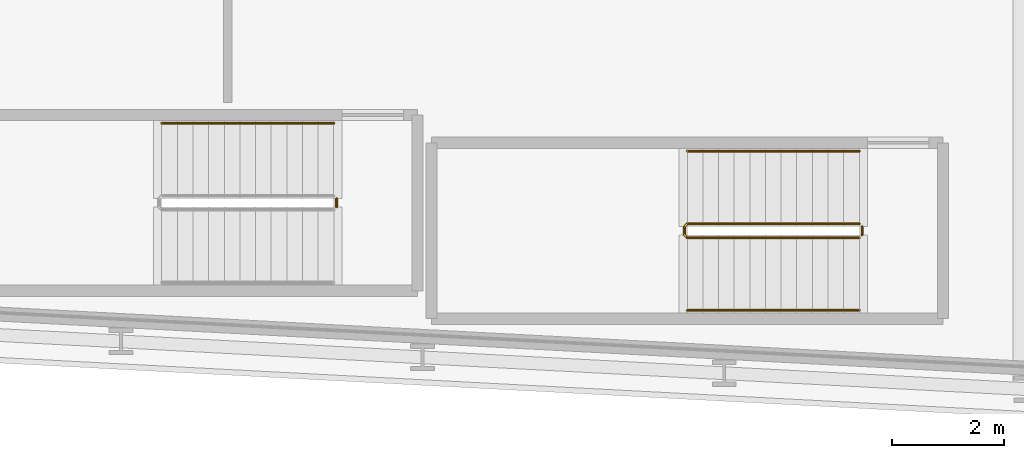
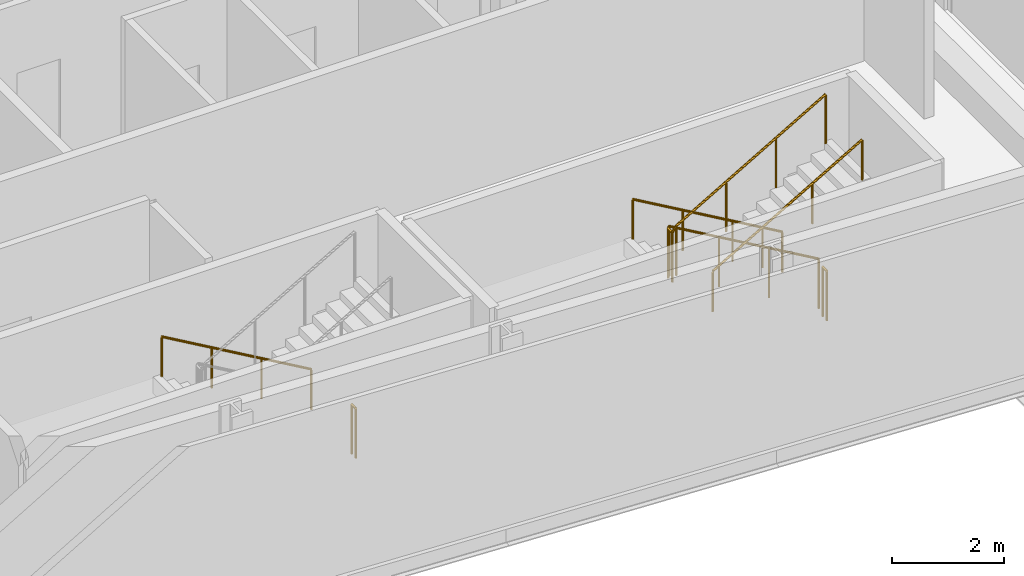
# One storey, part 24 of 27: 6 railings.
"""IFC4 building model written with IfcOpenShell, lengths in metres."""

from ifc_helpers import new_model, si_unit, direction, frame, origin, origin_2d, place, context, subcontext, project, spatial, circle, extrude, material, type_object, element, save


model = new_model("IFC4")

# Units and contexts
model_context = context("Model", 3, precision=1e-05, world=origin(), true_north=direction((0.0, 1.0)))
body_context = subcontext(model_context, "Body", "Model", "MODEL_VIEW")
ifc_project = project(units=[si_unit("LENGTHUNIT", "METRE"), si_unit("AREAUNIT", "SQUARE_METRE"), si_unit("VOLUMEUNIT", "CUBIC_METRE"), si_unit("PLANEANGLEUNIT", "RADIAN"), si_unit("MASSUNIT", "GRAM", prefix="KILO")], contexts=[model_context])

# Site, building, storey
site_placement = place(None, origin())
site = spatial("IfcSite", under=ifc_project, at=site_placement, CompositionType="ELEMENT")
building_placement = place(site_placement, origin())
building = spatial("IfcBuilding", under=site, at=building_placement, Name="Kheshtan School and Residences Tower", CompositionType="ELEMENT")
storey_placement = place(building_placement, frame((0.0, 0.0, 50.0)))
storey = spatial("IfcBuildingStorey", under=building, at=storey_placement, Name="L11", CompositionType="ELEMENT", Elevation=50.0)

# Railings
ifc_material_1 = material(Name="Stainless steel balustrade", Category="steel")
railing_type_1 = type_object("IfcRailingType", Name="Stair guard 1100", PredefinedType="GUARDRAIL", material=ifc_material_1)
railing_1_placement = place(storey_placement, frame((87.820068359375, 23.949951171875, 0.16259765625)))
element("IfcRailing", 1, at=railing_1_placement, inside=storey, type_object=railing_type_1, Name="L11 ST4 stair guard 1", PredefinedType="GUARDRAIL", context=body_context, shape_type="SweptSolid", body=[
    extrude(circle(Radius=0.02392578125, at=origin_2d()), frame((0.0, 0.0, 1.076171875), z_axis=(-0.864920483161, 0.0, 0.501908913857), x_axis=(0.0, -1.0, 0.0)), (0.0, 0.0, 1.0), 3.56103515625),
    extrude(circle(Radius=0.02392578125, at=origin_2d()), frame((-3.080078125, 0.0, 2.86328125), z_axis=(-0.707106781187, -0.707106781187, 0.0), x_axis=(0.707106781187, -0.707106781187, 0.0)), (0.0, 0.0, 1.0), 0.07080078125),
    extrude(circle(Radius=0.02392578125, at=origin_2d()), frame((-3.130126953125, -0.050048828125, 2.86328125), z_axis=(0.0, -1.0, 0.0), x_axis=(1.0, 0.0, 0.0)), (0.0, 0.0, 1.0), 0.14990234375),
    extrude(circle(Radius=0.02392578125, at=origin_2d()), frame((-3.130126953125, -0.199951171875, 2.86328125), z_axis=(0.282227285176, -0.282227285176, 0.916894497205), x_axis=(0.707106781187, 0.707106781187, 0.0)), (0.0, 0.0, 1.0), 0.17724609375),
    extrude(circle(Radius=0.02392578125, at=origin_2d()), frame((-3.080078125, -0.25, 3.02587890625), z_axis=(0.864920483161, 0.0, 0.501908913857), x_axis=(0.0, 1.0, 0.0)), (0.0, 0.0, 1.0), 3.56103515625),
    extrude(circle(Radius=0.02099609375, at=origin_2d()), origin(), (0.0, 0.0, 1.0), 1.052001953125),
    extrude(circle(Radius=0.02099609375, at=origin_2d()), frame((-1.026611328125, 0.0, 0.595703125)), (0.0, 0.0, 1.0), 1.052001953125),
    extrude(circle(Radius=0.02099609375, at=origin_2d()), frame((-2.053466796875, 0.0, 1.191650390625)), (0.0, 0.0, 1.0), 1.052001953125),
    extrude(circle(Radius=0.02099609375, at=origin_2d()), frame((-3.080078125, 0.0, 1.787353515625)), (0.0, 0.0, 1.0), 1.052001953125),
    extrude(circle(Radius=0.02099609375, at=origin_2d()), frame((-3.130126953125, -0.050048828125, 1.787353515625)), (0.0, 0.0, 1.0), 1.052001953125),
    extrude(circle(Radius=0.02099609375, at=origin_2d()), frame((-3.130126953125, -0.199951171875, 1.787353515625)), (0.0, 0.0, 1.0), 1.052001953125),
    extrude(circle(Radius=0.02099609375, at=origin_2d()), frame((-3.080078125, -0.25, 1.949951171875)), (0.0, 0.0, 1.0), 1.052001953125),
    extrude(circle(Radius=0.02099609375, at=origin_2d()), frame((-2.053466796875, -0.25, 2.545654296875)), (0.0, 0.0, 1.0), 1.052001953125),
    extrude(circle(Radius=0.02099609375, at=origin_2d()), frame((-1.026611328125, -0.25, 3.1416015625)), (0.0, 0.0, 1.0), 1.052001953125),
    extrude(circle(Radius=0.02099609375, at=origin_2d()), frame((0.0, -0.25, 3.7373046875)), (0.0, 0.0, 1.0), 1.052001953125),
])
for number, where, name in (
    (2, (87.8701171875, 23.89990234375, 0.0), "L11 ST4 stair guard 2"),
    (3, (78.4599609375, 24.39990234375, 0.0), "L11 ST5 stair guard 2"),
):
    element("IfcRailing", number, at=place(storey_placement, frame(where)), inside=storey, type_object=railing_type_1, Name=name, PredefinedType="GUARDRAIL", context=body_context, shape_type="SweptSolid", body=[
        extrude(circle(Radius=0.02392578125, at=origin_2d()), frame((0.0, 0.0, 1.076171875), z_axis=(0.0, -1.0, 0.0), x_axis=(1.0, 0.0, 0.0)), (0.0, 0.0, 1.0), 0.14990234375),
        extrude(circle(Radius=0.02099609375, at=origin_2d()), origin(), (0.0, 0.0, 1.0), 1.052001953125),
        extrude(circle(Radius=0.02099609375, at=origin_2d()), frame((0.0, -0.14990234375, 0.0)), (0.0, 0.0, 1.0), 1.052001953125),
    ])
ifc_material_2 = material(Name="Stainless steel handrail", Category="steel")
railing_type_2 = type_object("IfcRailingType", Name="Stair handrail 900", PredefinedType="HANDRAIL", material=ifc_material_2)
railing_2_placement = place(storey_placement, frame((87.820068359375, 25.25, 0.16259765625)))
element("IfcRailing", 4, at=railing_2_placement, inside=storey, type_object=railing_type_2, Name="L11 ST4 stair handrail 1", PredefinedType="HANDRAIL", context=body_context, shape_type="SweptSolid", body=[
    extrude(circle(Radius=0.02392578125, at=origin_2d()), frame((0.0, 0.0, 0.8759765625), z_axis=(-0.864920483161, 0.0, 0.501908913857), x_axis=(0.0, -1.0, 0.0)), (0.0, 0.0, 1.0), 3.56103515625),
    extrude(circle(Radius=0.02099609375, at=origin_2d()), origin(), (0.0, 0.0, 1.0), 0.851806640625),
    extrude(circle(Radius=0.02099609375, at=origin_2d()), frame((-1.026611328125, 0.0, 0.595703125)), (0.0, 0.0, 1.0), 0.851806640625),
    extrude(circle(Radius=0.02099609375, at=origin_2d()), frame((-2.053466796875, 0.0, 1.191650390625)), (0.0, 0.0, 1.0), 0.851806640625),
    extrude(circle(Radius=0.02099609375, at=origin_2d()), frame((-3.080078125, 0.0, 1.787353515625)), (0.0, 0.0, 1.0), 0.851806640625),
])
railing_3_placement = place(storey_placement, frame((84.739990234375, 22.39990234375, 2.112548828125)))
element("IfcRailing", 5, at=railing_3_placement, inside=storey, type_object=railing_type_2, Name="L11 ST4 stair handrail 2", PredefinedType="HANDRAIL", context=body_context, shape_type="SweptSolid", body=[
    extrude(circle(Radius=0.02392578125, at=origin_2d()), frame((0.0, 0.0, 0.8759765625), z_axis=(0.864920483161, 0.0, 0.501908913857), x_axis=(0.0, 1.0, 0.0)), (0.0, 0.0, 1.0), 3.56103515625),
    extrude(circle(Radius=0.02099609375, at=origin_2d()), origin(), (0.0, 0.0, 1.0), 0.851806640625),
    extrude(circle(Radius=0.02099609375, at=origin_2d()), frame((1.026611328125, 0.0, 0.595703125)), (0.0, 0.0, 1.0), 0.851806640625),
    extrude(circle(Radius=0.02099609375, at=origin_2d()), frame((2.053466796875, 0.0, 1.191650390625)), (0.0, 0.0, 1.0), 0.851806640625),
    extrude(circle(Radius=0.02099609375, at=origin_2d()), frame((3.080078125, 0.0, 1.787353515625)), (0.0, 0.0, 1.0), 0.851806640625),
])
railing_4_placement = place(storey_placement, frame((78.409912109375, 25.75, 0.16259765625)))
element("IfcRailing", 6, at=railing_4_placement, inside=storey, type_object=railing_type_2, Name="L11 ST5 stair handrail 1", PredefinedType="HANDRAIL", context=body_context, shape_type="SweptSolid", body=[
    extrude(circle(Radius=0.02392578125, at=origin_2d()), frame((0.0, 0.0, 0.8759765625), z_axis=(-0.864903211148, 0.0, 0.501938676878), x_axis=(0.0, -1.0, 0.0)), (0.0, 0.0, 1.0), 3.560791015625),
    extrude(circle(Radius=0.02099609375, at=origin_2d()), origin(), (0.0, 0.0, 1.0), 0.851806640625),
    extrude(circle(Radius=0.02099609375, at=origin_2d()), frame((-1.026611328125, 0.0, 0.595703125)), (0.0, 0.0, 1.0), 0.851806640625),
    extrude(circle(Radius=0.02099609375, at=origin_2d()), frame((-2.05322265625, 0.0, 1.191650390625)), (0.0, 0.0, 1.0), 0.851806640625),
    extrude(circle(Radius=0.02099609375, at=origin_2d()), frame((-3.079833984375, 0.0, 1.787353515625)), (0.0, 0.0, 1.0), 0.851806640625),
])

save(model, "model.ifc")
